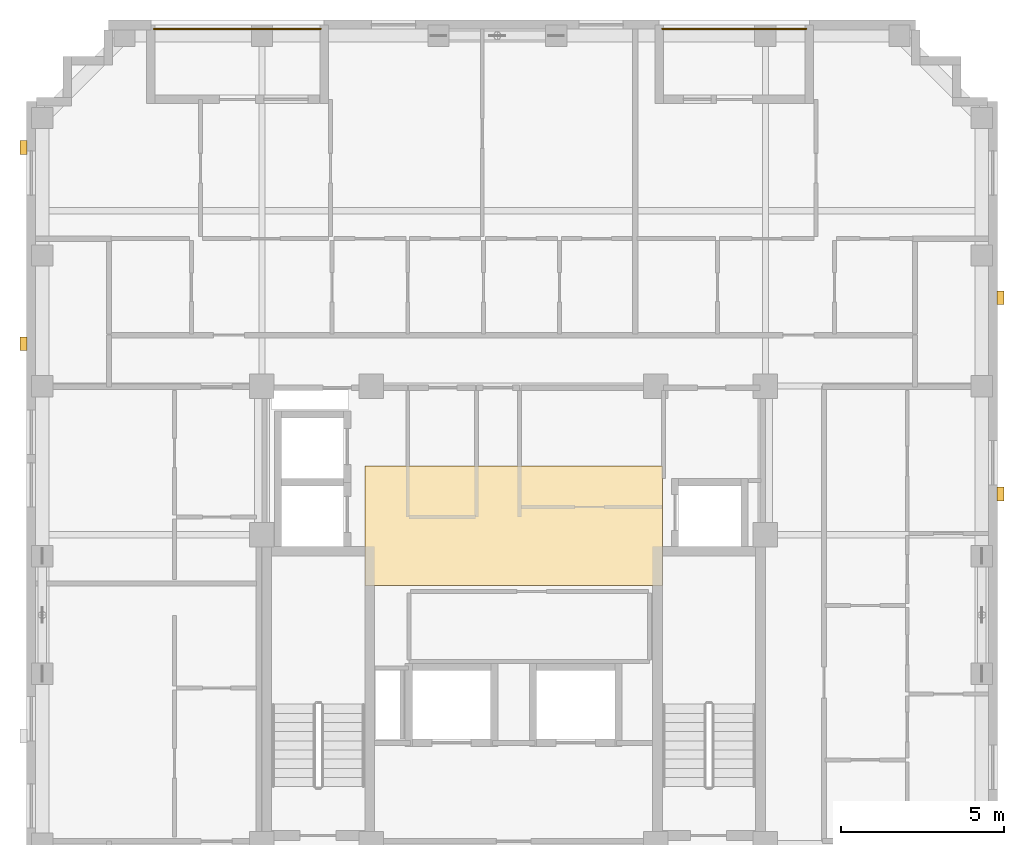
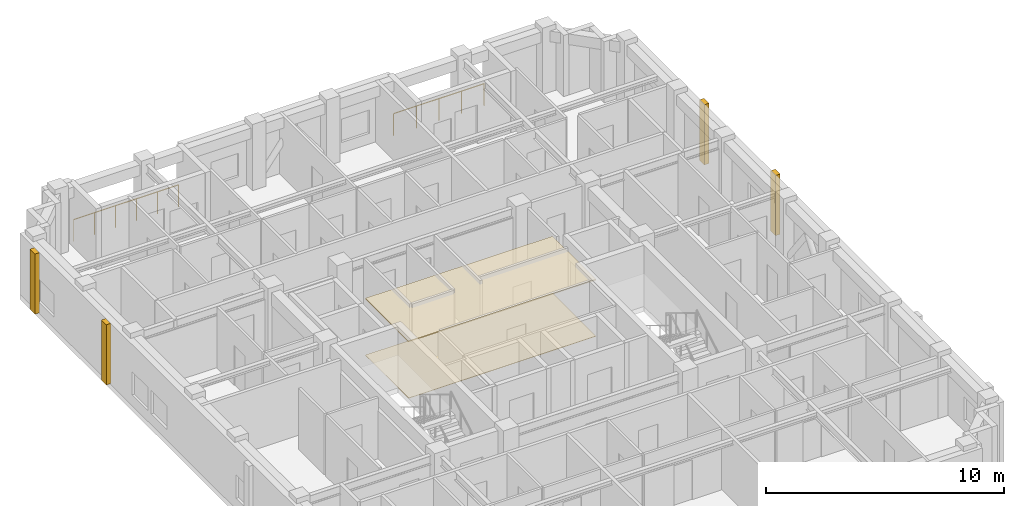
# One storey, part 11 of 11: 6 coverings, 2 railings.
"""IFC4 building model written with IfcOpenShell, lengths in metres."""

from ifc_helpers import new_model, si_unit, derived_unit, direction, frame, origin, origin_2d, place, context, subcontext, project, spatial, polyline, rectangle, circle, outline, extrude, material, layer, layer_set, type_object, element, save


model = new_model("IFC4")

# Units and contexts
model_context = context("Model", 3, precision=1e-05, world=origin(), true_north=direction((0.0, 1.0)))
body_context = subcontext(model_context, "Body", "Model", "MODEL_VIEW")
ifc_project = project(units=[si_unit("LENGTHUNIT", "METRE"), si_unit("AREAUNIT", "SQUARE_METRE"), si_unit("VOLUMEUNIT", "CUBIC_METRE"), si_unit("PLANEANGLEUNIT", "RADIAN"), si_unit("MASSUNIT", "GRAM", prefix="KILO"), derived_unit("THERMALTRANSMITTANCEUNIT", [(si_unit("MASSUNIT", "GRAM", prefix="KILO"), 1), (si_unit("TIMEUNIT", "SECOND"), -3), (si_unit("THERMODYNAMICTEMPERATUREUNIT", "KELVIN"), -1)])], contexts=[model_context])

# Site, building, storey
site_placement = place(None, origin())
site = spatial("IfcSite", under=ifc_project, at=site_placement, CompositionType="ELEMENT")
building_placement = place(site_placement, origin())
building = spatial("IfcBuilding", under=site, at=building_placement, Name="Korrvale Station Residences", CompositionType="ELEMENT")
storey_placement = place(building_placement, frame((0.0, 0.0, 247.89990234375)))
storey = spatial("IfcBuildingStorey", under=building, at=storey_placement, Name="L72", CompositionType="ELEMENT", Elevation=247.89990234375)

# Coverings
ifc_material_1 = material(Name="Perforated acoustic mineral-fibre suspended ceiling", Category="gypsum")
ifc_layer_1 = layer(ifc_material_1, 0.050048828125, Name="Perforated acoustic mineral-fibre suspended ceiling")
ifc_layer_set_1 = layer_set([ifc_layer_1], Name="Perforated acoustic mineral-fibre suspended ceiling")
covering_type_1 = type_object("IfcCoveringType", Name="COV-CLG-AC60", PredefinedType="CEILING", material=ifc_layer_set_1)
covering_1_placement = place(storey_placement, frame((0.0, 0.0, 2.89013671875)))
element("IfcCovering", 1, at=covering_1_placement, inside=storey, type_object=covering_type_1, Name="L72 Elevator Lobby Acoustic Ceiling", PredefinedType="CEILING", context=body_context, shape_type="SweptSolid", body=[
    extrude(outline(polyline([(20.949951171875, 22.89990234375), (30.050048828125, 22.89990234375), (30.050048828125, 26.550048828125), (20.949951171875, 26.550048828125), (20.949951171875, 22.89990234375)])), origin(), (0.0, 0.0, 1.0), 0.050048828125),
])
ifc_material_2 = material(Name="Polished quartz-terrazzo lobby flooring", Category="masonry")
ifc_layer_2 = layer(ifc_material_2, 0.02001953125, Name="Polished quartz-terrazzo lobby flooring")
ifc_layer_set_2 = layer_set([ifc_layer_2], Name="Polished quartz-terrazzo lobby flooring")
covering_type_2 = type_object("IfcCoveringType", Name="COV-FLR-TER20", PredefinedType="FLOORING", material=ifc_layer_set_2)
covering_2_placement = place(storey_placement, origin())
element("IfcCovering", 2, at=covering_2_placement, inside=storey, type_object=covering_type_2, Name="L72 Elevator Lobby Terrazzo Flooring", PredefinedType="FLOORING", context=body_context, shape_type="SweptSolid", body=[
    extrude(outline(polyline([(20.949951171875, 22.89990234375), (30.050048828125, 22.89990234375), (30.050048828125, 26.550048828125), (20.949951171875, 26.550048828125), (20.949951171875, 22.89990234375)])), origin(), (0.0, 0.0, 1.0), 0.02001953125),
])
ifc_material_3 = material(Name="Architectural precast concrete C45/55", Category="concrete")
ifc_layer_3 = layer(ifc_material_3, 0.219970703125, Name="Architectural precast concrete C45/55")
ifc_layer_set_3 = layer_set([ifc_layer_3], Name="Architectural precast concrete C45/55")
covering_type_3 = type_object("IfcCoveringType", Name="COV-PIER-400", PredefinedType="CLADDING", material=ifc_layer_set_3)
for number, where, z_axis, x_axis, name in (
    (3, (10.510009765625, 30.300048828125, 0.02490234375), (0.0, 0.0, 1.0), (0.0, 1.0, 0.0), "L72 Architectural Precast Facade Pier 04"),
    (4, (10.510009765625, 36.300048828125, 0.02490234375), (0.0, 0.0, 1.0), (0.0, 1.0, 0.0), "L72 Architectural Precast Facade Pier 05"),
    (5, (40.389892578125, 31.699951171875, 0.02490234375), (0.0, 0.0, 1.0), (0.0, 1.0, 0.0), "L72 Architectural Precast Facade Pier 06"),
    (6, (40.389892578125, 25.699951171875, 0.02490234375), (0.0, 0.0, 1.0), (0.0, 1.0, 0.0), "L72 Architectural Precast Facade Pier 07"),
):
    element("IfcCovering", number, at=place(storey_placement, frame(where, z_axis=z_axis, x_axis=x_axis)), inside=storey, type_object=covering_type_3, Name=name, PredefinedType="CLADDING", context=body_context, shape_type="SweptSolid", body=[
        extrude(rectangle(XDim=0.419921875, YDim=0.219970703125, at=origin_2d()), origin(), (0.0, 0.0, 1.0), 3.090087890625),
    ])

# Railings
ifc_material_4 = material(Name="Powder-coated aluminium picket loggia guard", Category="aluminium")
railing_type = type_object("IfcRailingType", Name="RLG-BAL-1150", PredefinedType="GUARDRAIL", material=ifc_material_4)
railing_1_placement = place(storey_placement, frame((14.5, 39.929931640625, 0.0)))
element("IfcRailing", 7, at=railing_1_placement, inside=storey, type_object=railing_type, Name="L72 Recessed Loggia Guardrail BAL-L72-N2", PredefinedType="GUARDRAIL", context=body_context, shape_type="SweptSolid", body=[
    extrude(circle(Radius=0.02392578125, at=origin_2d()), frame((0.0, 0.0, 1.1259765625), z_axis=(1.0, 0.0, 0.0), x_axis=(0.0, 1.0, 0.0)), (0.0, 0.0, 1.0), 5.10009765625),
    extrude(circle(Radius=0.02099609375, at=origin_2d()), origin(), (0.0, 0.0, 1.0), 1.101806640625),
    extrude(circle(Radius=0.02099609375, at=origin_2d()), frame((1.02001953125, 0.0, 0.0)), (0.0, 0.0, 1.0), 1.101806640625),
    extrude(circle(Radius=0.02099609375, at=origin_2d()), frame((2.0400390625, 0.0, 0.0)), (0.0, 0.0, 1.0), 1.101806640625),
    extrude(circle(Radius=0.02099609375, at=origin_2d()), frame((3.06005859375, 0.0, 0.0)), (0.0, 0.0, 1.0), 1.101806640625),
    extrude(circle(Radius=0.02099609375, at=origin_2d()), frame((4.080078125, 0.0, 0.0)), (0.0, 0.0, 1.0), 1.101806640625),
    extrude(circle(Radius=0.02099609375, at=origin_2d()), frame((5.10009765625, 0.0, 0.0)), (0.0, 0.0, 1.0), 1.101806640625),
])
railing_2_placement = place(storey_placement, frame((30.050048828125, 39.929931640625, 0.0)))
element("IfcRailing", 8, at=railing_2_placement, inside=storey, type_object=railing_type, Name="L72 Recessed Loggia Guardrail BAL-L72-N1", PredefinedType="GUARDRAIL", context=body_context, shape_type="SweptSolid", body=[
    extrude(circle(Radius=0.02392578125, at=origin_2d()), frame((0.0, 0.0, 1.1259765625), z_axis=(1.0, 0.0, 0.0), x_axis=(0.0, 1.0, 0.0)), (0.0, 0.0, 1.0), 4.39990234375),
    extrude(circle(Radius=0.02099609375, at=origin_2d()), origin(), (0.0, 0.0, 1.0), 1.101806640625),
    extrude(circle(Radius=0.02099609375, at=origin_2d()), frame((1.10009765625, 0.0, 0.0)), (0.0, 0.0, 1.0), 1.101806640625),
    extrude(circle(Radius=0.02099609375, at=origin_2d()), frame((2.199951171875, 0.0, 0.0)), (0.0, 0.0, 1.0), 1.101806640625),
    extrude(circle(Radius=0.02099609375, at=origin_2d()), frame((3.2998046875, 0.0, 0.0)), (0.0, 0.0, 1.0), 1.101806640625),
    extrude(circle(Radius=0.02099609375, at=origin_2d()), frame((4.39990234375, 0.0, 0.0)), (0.0, 0.0, 1.0), 1.101806640625),
])

save(model, "model.ifc")
